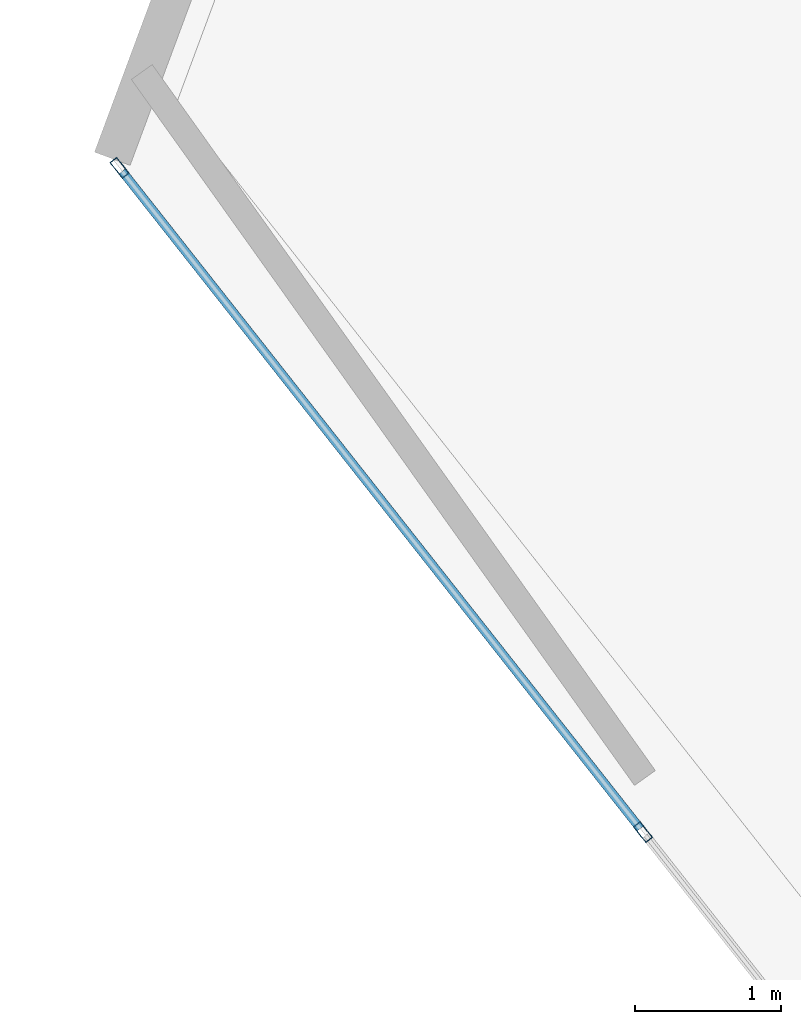
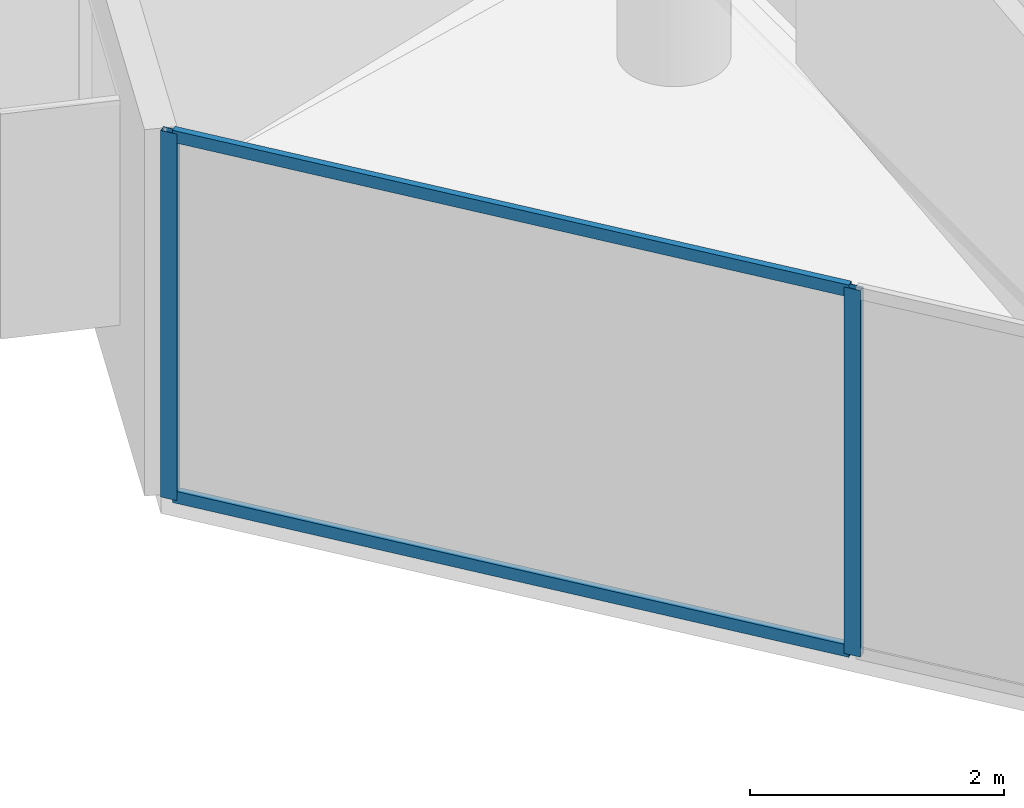
# One storey, part 7 of 21: 4 members, 1 element without a shape of its own.
"""IFC4 building model written with IfcOpenShell, lengths in metres."""

from ifc_helpers import new_model, si_unit, direction, frame, origin, origin_2d, place, context, subcontext, project, spatial, hollow_rectangle, extrude, material, layer, layer_set, material_profile, profile_set, type_object, element, aggregate, save


model = new_model("IFC4")

# Units and contexts
model_context = context("Model", 3, precision=1e-05, world=origin(), true_north=direction((0.0, 1.0)))
body_context = subcontext(model_context, "Body", "Model", "MODEL_VIEW")
ifc_project = project(units=[si_unit("LENGTHUNIT", "METRE"), si_unit("AREAUNIT", "SQUARE_METRE"), si_unit("VOLUMEUNIT", "CUBIC_METRE"), si_unit("PLANEANGLEUNIT", "RADIAN"), si_unit("MASSUNIT", "GRAM", prefix="KILO")], contexts=[model_context])

# Site, building, storey
site_placement = place(None, origin())
site = spatial("IfcSite", under=ifc_project, at=site_placement, CompositionType="ELEMENT")
building_placement = place(site_placement, origin())
building = spatial("IfcBuilding", under=site, at=building_placement, Name="Qianvela Tower", CompositionType="ELEMENT")
storey_placement = place(building_placement, frame((0.0, 0.0, 310.199951171875)))
storey = spatial("IfcBuildingStorey", under=building, at=storey_placement, Name="L80", CompositionType="ELEMENT", Elevation=310.199951171875)

# Curtain wall, members
ifc_material_1 = material(Name="Anodised Architectural Aluminium and Low-E Glass", Category="aluminium")
ifc_layer = layer(ifc_material_1, 0.14990234375)
ifc_layer_set = layer_set([ifc_layer], Name="Anodised Architectural Aluminium and Low-E Glass")
curtain_wall_type = type_object("IfcCurtainWallType", Name="CW-COLIV-Z78", PredefinedType="USERDEFINED", material=ifc_layer_set)
curtain_wall_placement = place(storey_placement, origin())
curtain_wall = element("IfcCurtainWall", 1, at=curtain_wall_placement, inside=storey, type_object=curtain_wall_type, Name="L80 CW-COLIV-Z78 Curtain Wall 04A", ObjectType="CURTAIN_WALL_SYSTEM", PredefinedType="USERDEFINED")
ifc_material_2 = material(Name="Anodised Architectural Aluminium 6063-T6", Category="aluminium")
ifc_material_profile_1 = material_profile(ifc_material_2, hollow_rectangle(XDim=0.06005859375, YDim=0.139892578125, WallThickness=0.00439453125, at=origin_2d()), Name="ALU-MULL-60x140")
ifc_profile_set_1 = profile_set([ifc_material_profile_1], Name="Anodised Architectural Aluminium 6063-T6")
member_type_1 = type_object("IfcMemberType", Name="CW-COLIV-Z78-MULL", PredefinedType="MULLION", material=ifc_profile_set_1)
member_1_placement = place(storey_placement, frame((18.130859375, 28.407958984375, 0.0), z_axis=(0.0, 0.0, 1.0), x_axis=(0.785421682814, 0.618961048989, 0.0)))
member_1 = element("IfcMember", 2, at=member_1_placement, type_object=member_type_1, Name="CW-6 mullion 1", PredefinedType="MULLION", context=body_context, shape_type="SweptSolid", body=[
    extrude(hollow_rectangle(XDim=0.06005859375, YDim=0.139892578125, WallThickness=0.00439453125, at=origin_2d()), origin(), (0.0, 0.0, 1.0), 3.52001953125),
])
member_2_placement = place(storey_placement, frame((21.714599609375, 23.8603515625, 0.0), z_axis=(0.0, 0.0, 1.0), x_axis=(0.785421682814, 0.618961048989, 0.0)))
member_2 = element("IfcMember", 3, at=member_2_placement, type_object=member_type_1, Name="CW-6 mullion 2", PredefinedType="MULLION", context=body_context, shape_type="SweptSolid", body=[
    extrude(hollow_rectangle(XDim=0.06005859375, YDim=0.139892578125, WallThickness=0.00439453125, at=origin_2d()), origin(), (0.0, 0.0, 1.0), 3.52001953125),
])
ifc_material_3 = material(Name="Anodised Architectural Aluminium 6063-T6", Category="aluminium")
ifc_material_profile_2 = material_profile(ifc_material_3, hollow_rectangle(XDim=0.06005859375, YDim=0.114990234375, WallThickness=0.00390625, at=origin_2d()), Name="ALU-TRAN-60x115")
ifc_profile_set_2 = profile_set([ifc_material_profile_2], Name="Anodised Architectural Aluminium 6063-T6")
member_type_2 = type_object("IfcMemberType", Name="CW-COLIV-Z78-TRAN", PredefinedType="USERDEFINED", material=ifc_profile_set_2)
member_3_placement = place(storey_placement, frame((18.1494140625, 28.38427734375, 0.030029296875), z_axis=(0.618978175684, -0.785408185612, 0.0), x_axis=(0.785408185612, 0.618978175684, 0.0)))
member_3 = element("IfcMember", 4, at=member_3_placement, type_object=member_type_2, Name="CW-6 transom 1.1", ObjectType="TRANSOM", PredefinedType="USERDEFINED", context=body_context, shape_type="SweptSolid", body=[
    extrude(hollow_rectangle(XDim=0.06005859375, YDim=0.114990234375, WallThickness=0.00390625, at=origin_2d()), origin(), (0.0, 0.0, 1.0), 5.729736328125),
])
member_4_placement = place(storey_placement, frame((18.1494140625, 28.38427734375, 3.489990234375), z_axis=(0.618978175684, -0.785408185612, 0.0), x_axis=(0.785408185612, 0.618978175684, 0.0)))
member_4 = element("IfcMember", 5, at=member_4_placement, type_object=member_type_2, Name="CW-6 transom 1.2", ObjectType="TRANSOM", PredefinedType="USERDEFINED", context=body_context, shape_type="SweptSolid", body=[
    extrude(hollow_rectangle(XDim=0.06005859375, YDim=0.114990234375, WallThickness=0.00390625, at=origin_2d()), origin(), (0.0, 0.0, 1.0), 5.729736328125),
])
aggregate(curtain_wall, [member_1, member_2, member_3, member_4])

save(model, "model.ifc")
